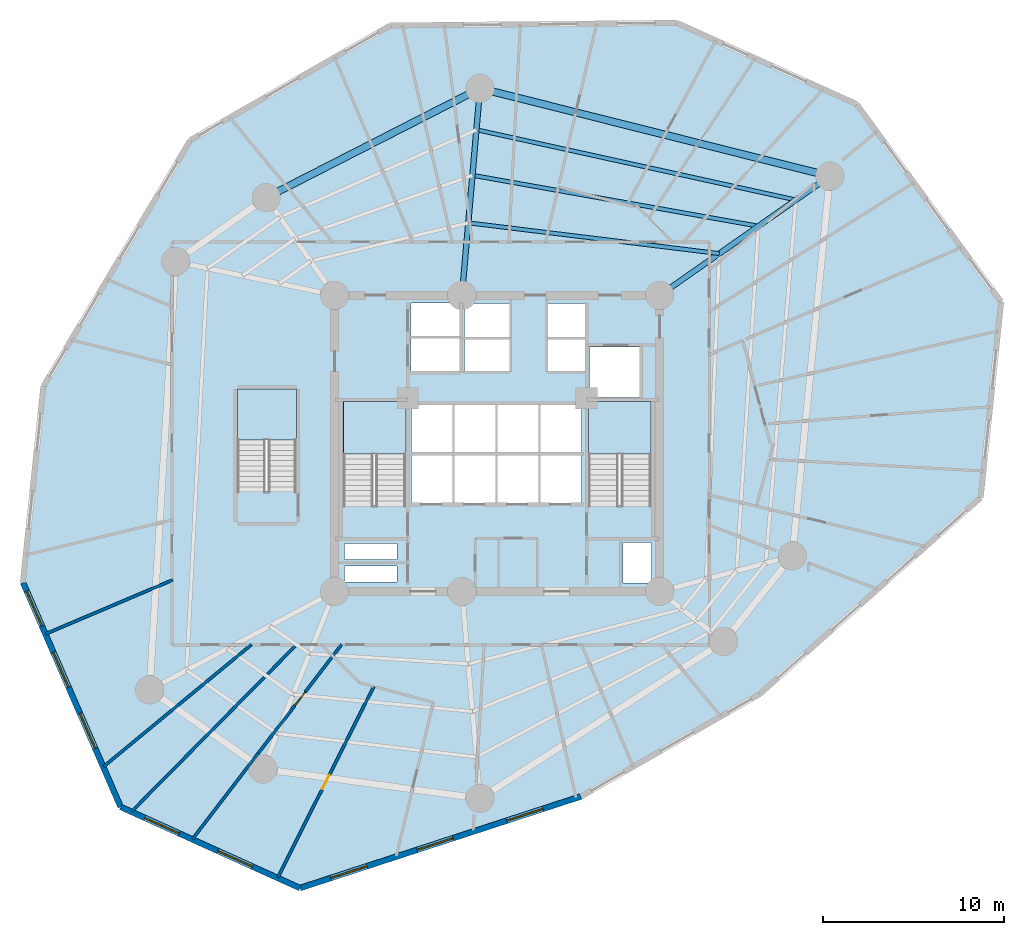
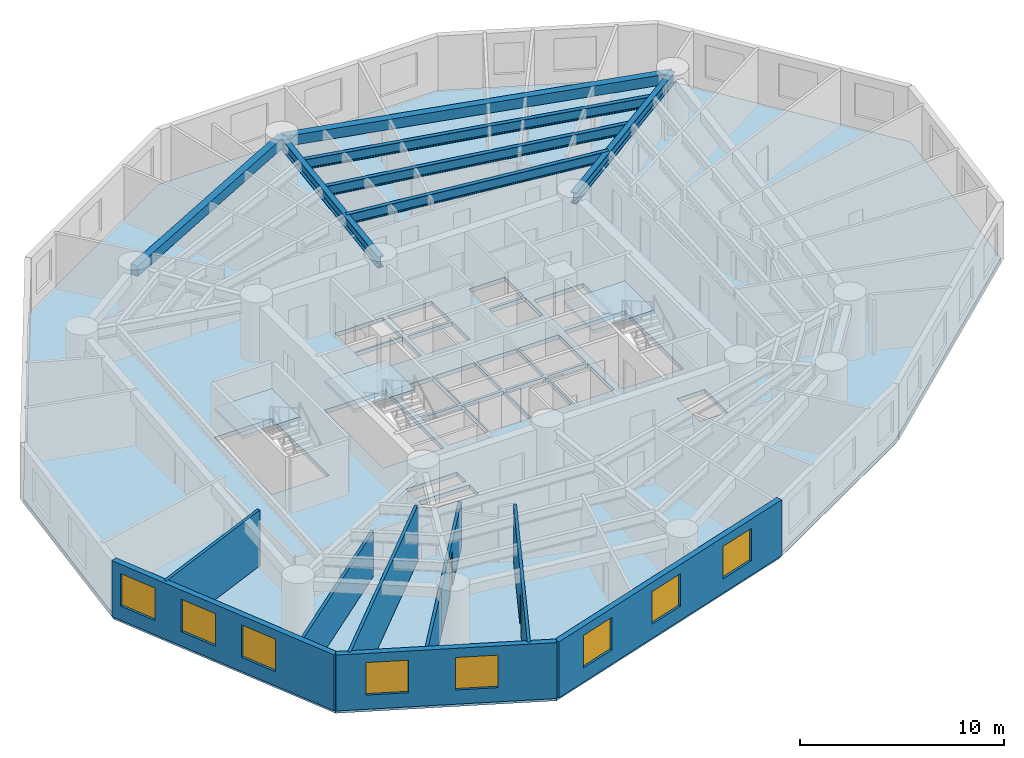
# One storey, part 2 of 8: 9 walls, 8 windows, 7 beams, 4 slabs, 2 doors, 10 openings, 3 elements without a shape of their own.
"""IFC4 building model written with IfcOpenShell, lengths in metres."""

from ifc_helpers import new_model, si_unit, direction, frame, frame_2d, origin, origin_with_axes, origin_2d, place, context, subcontext, project, spatial, polyline, rectangle, i_section, outline, extrude, source, transform, mapped, material, layer, layer_set, material_profile, profile_set, type_object, element, fill, aggregate, save


model = new_model("IFC4")

# Units and contexts
model_context = context("Model", 3, precision=1e-05, world=origin(), true_north=direction((0.0, 1.0)))
body_context = subcontext(model_context, "Body", "Model", "MODEL_VIEW")
ifc_project = project(units=[si_unit("LENGTHUNIT", "METRE"), si_unit("AREAUNIT", "SQUARE_METRE"), si_unit("VOLUMEUNIT", "CUBIC_METRE"), si_unit("PLANEANGLEUNIT", "RADIAN"), si_unit("MASSUNIT", "GRAM", prefix="KILO")], contexts=[model_context])

# Site, building, storey
site_placement = place(None, origin())
site = spatial("IfcSite", under=ifc_project, at=site_placement, CompositionType="ELEMENT")
building_placement = place(site_placement, origin())
building = spatial("IfcBuilding", under=site, at=building_placement, Name="Karkom Vertical University and Central Library", CompositionType="ELEMENT")
storey_placement = place(building_placement, frame((0.0, 0.0, 30.10009765625)))
storey = spatial("IfcBuildingStorey", under=building, at=storey_placement, Name="L07", CompositionType="ELEMENT", Elevation=30.10009765625)

# Beams
ifc_material_1 = material(Name="Steel S355", Category="steel")
ifc_material_profile_1 = material_profile(ifc_material_1, i_section(OverallWidth=0.300048828125, OverallDepth=0.64990234375, WebThickness=0.01611328125, FlangeThickness=0.031005859375, FilletRadius=0.027099609375, at=origin_2d()), Name="HE 650 B")
ifc_profile_set_1 = profile_set([ifc_material_profile_1], Name="Steel S355")
beam_type_1 = type_object("IfcBeamType", Name="STR-BM-SB-HE650", PredefinedType="USERDEFINED", material=ifc_profile_set_1)
shared_shape_1 = source(origin_with_axes(), body_context, "Body", "SweptSolid", [
    extrude(i_section(OverallWidth=0.300048828125, OverallDepth=0.64990234375, WebThickness=0.01611328125, FlangeThickness=0.031005859375, FilletRadius=0.027099609375, at=origin_2d()), origin(), (0.0, 0.0, 1.0), 11.49951171875),
])
beam_1_placement = place(storey_placement, frame((37.5, 34.699951171875, 3.02490234375), z_axis=(0.81915012564, 0.573579176457, 0.0), x_axis=(-0.573579176457, 0.81915012564, 0.0)))
element("IfcBeam", 1, at=beam_1_placement, inside=storey, type_object=beam_type_1, Name="Level 07 Radial Frame Girder 02", ObjectType="GIRDER", PredefinedType="USERDEFINED", context=body_context, shape_type="MappedRepresentation", body=[
    mapped(shared_shape_1, transform((0.0, 0.0, 0.0), scale=1.0)),
])
shared_shape_2 = source(origin_with_axes(), body_context, "Body", "SweptSolid", [
    extrude(i_section(OverallWidth=0.300048828125, OverallDepth=0.64990234375, WebThickness=0.01611328125, FlangeThickness=0.031005859375, FilletRadius=0.027099609375, at=origin_2d()), origin(), (0.0, 0.0, 1.0), 11.499755859375),
])
beam_2_placement = place(storey_placement, frame((26.550048828125, 34.699951171875, 3.02490234375), z_axis=(0.087127973109, 0.99619712723, 0.0), x_axis=(-0.99619712723, 0.087127973109, 0.0)))
element("IfcBeam", 2, at=beam_2_placement, inside=storey, type_object=beam_type_1, Name="Level 07 Radial Frame Girder 03", ObjectType="GIRDER", PredefinedType="USERDEFINED", context=body_context, shape_type="MappedRepresentation", body=[
    mapped(shared_shape_2, transform((0.0, 0.0, 0.0), scale=1.0)),
])
ifc_material_2 = material(Name="Precast concrete C45/55", Category="concrete")
ifc_material_profile_2 = material_profile(ifc_material_2, rectangle(XDim=0.39990234375, YDim=0.60009765625, at=origin_2d()), Name="SPB-400x600")
ifc_profile_set_2 = profile_set([ifc_material_profile_2], Name="Precast concrete C45/55")
beam_type_2 = type_object("IfcBeamType", Name="STR-BM-SP-1", PredefinedType="SPANDREL", material=ifc_profile_set_2)
shared_shape_3 = source(origin_with_axes(), body_context, "Body", "SweptSolid", [
    extrude(rectangle(XDim=0.39990234375, YDim=0.60009765625, at=origin_2d()), origin(), (0.0, 0.0, 1.0), 19.968505859375),
])
beam_3_placement = place(storey_placement, frame((46.919921875, 41.2958984375, 3.0498046875), z_axis=(-0.969928522391, 0.243389937039, 0.0), x_axis=(-0.243389937039, -0.969928522391, 0.0)))
element("IfcBeam", 3, at=beam_3_placement, inside=storey, type_object=beam_type_2, Name="Level 07 Perimeter Spandrel Beam 02", PredefinedType="SPANDREL", context=body_context, shape_type="MappedRepresentation", body=[
    mapped(shared_shape_3, transform((0.0, 0.0, 0.0), scale=1.0)),
])
shared_shape_4 = source(origin_with_axes(), body_context, "Body", "SweptSolid", [
    extrude(rectangle(XDim=0.39990234375, YDim=0.60009765625, at=origin_2d()), origin(), (0.0, 0.0, 1.0), 13.29443359375),
])
beam_4_placement = place(storey_placement, frame((27.552001953125, 46.156005859375, 3.0498046875), z_axis=(-0.890447746793, -0.455085497716, 0.0), x_axis=(0.455085497716, -0.890447746793, 0.0)))
element("IfcBeam", 4, at=beam_4_placement, inside=storey, type_object=beam_type_2, Name="Level 07 Perimeter Spandrel Beam 03", PredefinedType="SPANDREL", context=body_context, shape_type="MappedRepresentation", body=[
    mapped(shared_shape_4, transform((0.0, 0.0, 0.0), scale=1.0)),
])
ifc_material_profile_3 = material_profile(ifc_material_1, i_section(OverallWidth=0.219970703125, OverallDepth=0.60009765625, WebThickness=0.011962890625, FlangeThickness=0.01904296875, FilletRadius=0.02392578125, at=origin_2d()), Name="IPE 600")
ifc_profile_set_3 = profile_set([ifc_material_profile_3], Name="Steel S355")
beam_type_3 = type_object("IfcBeamType", Name="STR-BM-SB-IPE600", PredefinedType="BEAM", material=ifc_profile_set_3)
shared_shape_5 = source(origin_with_axes(), body_context, "Body", "SweptSolid", [
    extrude(i_section(OverallWidth=0.219970703125, OverallDepth=0.60009765625, WebThickness=0.011962890625, FlangeThickness=0.01904296875, FilletRadius=0.02392578125, at=origin_2d()), origin(), (0.0, 0.0, 1.0), 14.000244140625),
])
beam_5_placement = place(storey_placement, frame((40.797119140625, 37.008544921875, 3.0498046875), z_axis=(-0.992590166403, 0.121510335198, 0.0), x_axis=(-0.121510335198, -0.992590166403, 0.0)))
element("IfcBeam", 5, at=beam_5_placement, inside=storey, type_object=beam_type_3, Name="Level 07 Secondary Composite Floor Beam 1.02", PredefinedType="BEAM", context=body_context, shape_type="MappedRepresentation", body=[
    mapped(shared_shape_5, transform((0.0, 0.0, 0.0), scale=1.0)),
])
shared_shape_6 = source(origin_with_axes(), body_context, "Body", "SweptSolid", [
    extrude(i_section(OverallWidth=0.219970703125, OverallDepth=0.60009765625, WebThickness=0.011962890625, FlangeThickness=0.01904296875, FilletRadius=0.02392578125, at=origin_2d()), origin(), (0.0, 0.0, 1.0), 16.08154296875),
])
beam_6_placement = place(storey_placement, frame((42.963623046875, 38.525634765625, 3.0498046875), z_axis=(-0.984517708807, 0.175285142111, 0.0), x_axis=(-0.175285142111, -0.984517708807, 0.0)))
element("IfcBeam", 6, at=beam_6_placement, inside=storey, type_object=beam_type_3, Name="Level 07 Secondary Composite Floor Beam 2.02", PredefinedType="BEAM", context=body_context, shape_type="MappedRepresentation", body=[
    mapped(shared_shape_6, transform((0.0, 0.0, 0.0), scale=1.0)),
])
shared_shape_7 = source(origin_with_axes(), body_context, "Body", "SweptSolid", [
    extrude(i_section(OverallWidth=0.219970703125, OverallDepth=0.60009765625, WebThickness=0.011962890625, FlangeThickness=0.01904296875, FilletRadius=0.02392578125, at=origin_2d()), origin(), (0.0, 0.0, 1.0), 18.106689453125),
])
beam_7_placement = place(storey_placement, frame((45.035888671875, 39.976806640625, 3.0498046875), z_axis=(-0.976674731786, 0.214724167926, 0.0), x_axis=(-0.214724167926, -0.976674731786, 0.0)))
element("IfcBeam", 7, at=beam_7_placement, inside=storey, type_object=beam_type_3, Name="Level 07 Secondary Composite Floor Beam 3.02", PredefinedType="BEAM", context=body_context, shape_type="MappedRepresentation", body=[
    mapped(shared_shape_7, transform((0.0, 0.0, 0.0), scale=1.0)),
])

# Stair, slab
ifc_material_3 = material(Name="Concrete C45/55", Category="concrete")
stair_type_1 = type_object("IfcStairType", Name="INT-STR-ST-MAIN", PredefinedType="HALF_TURN_STAIR", material=ifc_material_3)
stair_1_placement = place(storey_placement, origin())
stair_1 = element("IfcStair", 8, at=stair_1_placement, inside=storey, type_object=stair_type_1, Name="Level 07 Tower Protected Exit Stair ST-1", PredefinedType="HALF_TURN_STAIR")
ifc_layer_1 = layer(ifc_material_3, 0.199951171875)
ifc_layer_set_1 = layer_set([ifc_layer_1], Name="Concrete C45/55")
slab_type_1 = type_object("IfcSlabType", Name="INT-SLB-LANDING", PredefinedType="LANDING", material=ifc_layer_set_1)
slab_1_placement = place(storey_placement, frame((0.0, 0.0, 1.599853515625)))
slab_1 = element("IfcSlab", 9, at=slab_1_placement, type_object=slab_type_1, Name="ST-1 landing 1", PredefinedType="LANDING", context=body_context, shape_type="SweptSolid", body=[
    extrude(outline(polyline([(23.43994140625, 25.919921875), (23.43994140625, 28.820068359375), (19.97998046875, 28.820068359375), (19.97998046875, 25.919921875), (23.43994140625, 25.919921875)])), origin(), (0.0, 0.0, 1.0), 0.199951171875),
])
aggregate(stair_1, [slab_1])

stair_2_placement = place(storey_placement, origin())
stair_2 = element("IfcStair", 10, at=stair_2_placement, inside=storey, type_object=stair_type_1, Name="Level 07 Tower Protected Exit Stair ST-2", PredefinedType="HALF_TURN_STAIR")
slab_2_placement = place(storey_placement, frame((0.0, 0.0, 1.599853515625)))
slab_2 = element("IfcSlab", 11, at=slab_2_placement, type_object=slab_type_1, Name="ST-2 landing 1", PredefinedType="LANDING", context=body_context, shape_type="SweptSolid", body=[
    extrude(outline(polyline([(37.02001953125, 25.919921875), (37.02001953125, 28.820068359375), (33.56005859375, 28.820068359375), (33.56005859375, 25.919921875), (37.02001953125, 25.919921875)])), origin(), (0.0, 0.0, 1.0), 0.199951171875),
])
aggregate(stair_2, [slab_2])

stair_type_2 = type_object("IfcStairType", Name="INT-STR-ST-SEC", PredefinedType="HALF_TURN_STAIR", material=ifc_material_3)
stair_3_placement = place(storey_placement, origin())
stair_3 = element("IfcStair", 12, at=stair_3_placement, inside=storey, type_object=stair_type_2, Name="Level 07 Academic Zone Protected Exit Stair ST-3", PredefinedType="HALF_TURN_STAIR")
slab_3_placement = place(storey_placement, frame((0.0, 0.0, 1.599853515625)))
slab_3 = element("IfcSlab", 13, at=slab_3_placement, type_object=slab_type_1, Name="ST-3 landing 1", PredefinedType="LANDING", context=body_context, shape_type="SweptSolid", body=[
    extrude(outline(polyline([(17.3798828125, 26.699951171875), (17.3798828125, 29.5), (14.1201171875, 29.5), (14.1201171875, 26.699951171875), (17.3798828125, 26.699951171875)])), origin(), (0.0, 0.0, 1.0), 0.199951171875),
])
aggregate(stair_3, [slab_3])

# Slab
ifc_layer_2 = layer(ifc_material_3, 0.25)
ifc_layer_set_2 = layer_set([ifc_layer_2], Name="Concrete C45/55")
slab_type_2 = type_object("IfcSlabType", Name="STR-SLB-FLR-250", PredefinedType="FLOOR", material=ifc_layer_set_2)
slab_4_placement = place(storey_placement, frame((0.0, 0.0, -0.25)))
element("IfcSlab", 14, at=slab_4_placement, inside=storey, type_object=slab_type_2, Name="Level 07 Tower Structural Floor Slab", PredefinedType="FLOOR", context=body_context, shape_type="SweptSolid", body=[
    extrude(outline(polyline([(22.580810546875, 49.63427734375), (11.518310546875, 43.288330078125), (3.3798828125, 29.66162109375), (2.242919921875, 18.800537109375), (7.653564453125, 6.37060546875), (17.581787109375, 1.878662109375), (33.149169921875, 6.953125), (43.026123046875, 12.618896484375), (55.265380859375, 23.495361328125), (56.39990234375, 34.3330078125), (48.401611328125, 45.27880859375), (38.4521484375, 49.7802734375), (22.580810546875, 49.63427734375)]), holes=[polyline([(19.97998046875, 23.0849609375), (23.43994140625, 23.0849609375), (23.43994140625, 28.820068359375), (19.97998046875, 28.820068359375), (19.97998046875, 23.0849609375)]), polyline([(33.56005859375, 23.0849609375), (37.02001953125, 23.0849609375), (37.02001953125, 28.820068359375), (33.56005859375, 28.820068359375), (33.56005859375, 23.0849609375)]), polyline([(14.1201171875, 23.864990234375), (17.3798828125, 23.864990234375), (17.3798828125, 29.5), (14.1201171875, 29.5), (14.1201171875, 23.864990234375)]), polyline([(23.75, 23.199951171875), (26.030029296875, 23.199951171875), (26.030029296875, 25.85009765625), (23.75, 25.85009765625), (23.75, 23.199951171875)]), polyline([(26.1298828125, 23.199951171875), (28.409912109375, 23.199951171875), (28.409912109375, 25.85009765625), (26.1298828125, 25.85009765625), (26.1298828125, 23.199951171875)]), polyline([(28.510009765625, 23.199951171875), (30.7900390625, 23.199951171875), (30.7900390625, 25.85009765625), (28.510009765625, 25.85009765625), (28.510009765625, 23.199951171875)]), polyline([(30.889892578125, 23.199951171875), (33.169921875, 23.199951171875), (33.169921875, 25.85009765625), (30.889892578125, 25.85009765625), (30.889892578125, 23.199951171875)]), polyline([(23.75, 26.0), (26.030029296875, 26.0), (26.030029296875, 28.64990234375), (23.75, 28.64990234375), (23.75, 26.0)]), polyline([(26.1298828125, 26.0), (28.409912109375, 26.0), (28.409912109375, 28.64990234375), (26.1298828125, 28.64990234375), (26.1298828125, 26.0)]), polyline([(28.510009765625, 26.0), (30.7900390625, 26.0), (30.7900390625, 28.64990234375), (28.510009765625, 28.64990234375), (28.510009765625, 26.0)]), polyline([(30.889892578125, 26.0), (33.169921875, 26.0), (33.169921875, 28.64990234375), (30.889892578125, 28.64990234375), (30.889892578125, 26.0)]), polyline([(26.679931640625, 30.5), (29.199951171875, 30.5), (29.199951171875, 32.25), (26.679931640625, 32.25), (26.679931640625, 30.5)]), polyline([(26.679931640625, 32.39990234375), (29.199951171875, 32.39990234375), (29.199951171875, 34.25), (26.679931640625, 34.25), (26.679931640625, 32.39990234375)]), polyline([(31.300048828125, 30.5), (33.35009765625, 30.5), (33.35009765625, 32.25), (31.300048828125, 32.25), (31.300048828125, 30.5)]), polyline([(31.300048828125, 32.39990234375), (33.35009765625, 32.39990234375), (33.35009765625, 34.25), (31.300048828125, 34.25), (31.300048828125, 32.39990234375)]), polyline([(23.719970703125, 30.47998046875), (26.429931640625, 30.47998046875), (26.429931640625, 32.320068359375), (23.719970703125, 32.320068359375), (23.719970703125, 30.47998046875)]), polyline([(23.719970703125, 32.419921875), (26.429931640625, 32.419921875), (26.429931640625, 34.260009765625), (23.719970703125, 34.260009765625), (23.719970703125, 32.419921875)]), polyline([(33.60009765625, 29.050048828125), (36.39990234375, 29.050048828125), (36.39990234375, 31.85009765625), (33.60009765625, 31.85009765625), (33.60009765625, 29.050048828125)]), polyline([(20.050048828125, 18.820068359375), (22.949951171875, 18.820068359375), (22.949951171875, 19.719970703125), (20.050048828125, 19.719970703125), (20.050048828125, 18.820068359375)]), polyline([(20.050048828125, 20.06005859375), (22.949951171875, 20.06005859375), (22.949951171875, 20.9599609375), (20.050048828125, 20.9599609375), (20.050048828125, 20.06005859375)]), polyline([(35.4599609375, 18.760009765625), (37.0400390625, 18.760009765625), (37.0400390625, 21.010009765625), (35.4599609375, 21.010009765625), (35.4599609375, 18.760009765625)])]), origin(), (0.0, 0.0, 1.0), 0.25),
])

# Wall, openings, windows
ifc_material_4 = material(Name="Brick-faced precast concrete C45/55", Category="masonry")
ifc_layer_3 = layer(ifc_material_4, 0.320068359375)
ifc_layer_set_3 = layer_set([ifc_layer_3], Name="Brick-faced precast concrete C45/55")
wall_type_1 = type_object("IfcWallType", Name="ENV-WL-BRK-320", PredefinedType="SOLIDWALL", material=ifc_layer_set_3)
wall_1_placement = place(storey_placement, frame((2.242919921875, 18.800537109375, 0.0), z_axis=(0.0, 0.0, 1.0), x_axis=(0.399118553893, -0.916899329228, 0.0)))
wall_1 = element("IfcWall", 15, at=wall_1_placement, inside=storey, type_object=wall_type_1, Name="Level 07 Brick-Faced Precast Facade Wall 04", PredefinedType="SOLIDWALL", context=body_context, shape_type="SweptSolid", body=[
    extrude(rectangle(XDim=13.556396484375, YDim=0.320068359375, at=frame_2d((6.7783203125, 0.0))), origin(), (0.0, 0.0, 1.0), 3.349853515625),
])
opening_1_placement = place(wall_1_placement, frame((0.537109375, 0.0, 0.85009765625)))
opening_1 = element("IfcOpeningElement", 16, at=opening_1_placement, cuts=wall_1, Name="Opening WN-03", PredefinedType="OPENING", context=body_context, shape_type="SweptSolid", body=[
    extrude(rectangle(XDim=2.10009765625, YDim=1.949951171875, at=frame_2d((1.050048828125, 0.97509765625))), frame((0.0, 0.169921875, 0.0), z_axis=(0.0, -1.0, 0.0), x_axis=(1.0, 0.0, 0.0)), (0.0, 0.0, 1.0), 0.340087890625),
])
opening_2_placement = place(wall_1_placement, frame((4.2255859375, 0.0, 0.85009765625)))
opening_2 = element("IfcOpeningElement", 17, at=opening_2_placement, cuts=wall_1, Name="Opening WN-03", PredefinedType="OPENING", context=body_context, shape_type="SweptSolid", body=[
    extrude(rectangle(XDim=2.10009765625, YDim=1.949951171875, at=frame_2d((1.050048828125, 0.97509765625))), frame((0.0, 0.169921875, 0.0), z_axis=(0.0, -1.0, 0.0), x_axis=(1.0, 0.0, 0.0)), (0.0, 0.0, 1.0), 0.340087890625),
])
opening_3_placement = place(wall_1_placement, frame((7.908935546875, 0.0, 0.85009765625)))
opening_3 = element("IfcOpeningElement", 18, at=opening_3_placement, cuts=wall_1, Name="Opening WN-03", PredefinedType="OPENING", context=body_context, shape_type="SweptSolid", body=[
    extrude(rectangle(XDim=2.10009765625, YDim=1.949951171875, at=frame_2d((1.050048828125, 0.97509765625))), frame((0.0, 0.169921875, 0.0), z_axis=(0.0, -1.0, 0.0), x_axis=(1.0, 0.0, 0.0)), (0.0, 0.0, 1.0), 0.340087890625),
])
ifc_material_5 = material(Name="Aluminium thermal-break frame with solar-control IGU", Category="aluminium")
window_type = type_object("IfcWindowType", Name="ENV-WIN-WN-03", PartitioningType="SINGLE_PANEL", PredefinedType="WINDOW", material=ifc_material_5)
shared_shape_8 = source(origin_with_axes(), body_context, "Body", "SweptSolid", [
    extrude(rectangle(XDim=2.10009765625, YDim=1.949951171875, at=frame_2d((1.050048828125, 0.97509765625))), frame((0.0, 0.030029296875, 0.0), z_axis=(0.0, -1.0, 0.0), x_axis=(1.0, 0.0, 0.0)), (0.0, 0.0, 1.0), 0.06005859375),
])
window_1_placement = place(opening_1_placement, origin())
window_1 = element("IfcWindow", 19, at=window_1_placement, inside=storey, type_object=window_type, Name="Level 07 Punched Window 4.1", OverallHeight=1.949951171875, OverallWidth=2.10009765625, PartitioningType="SINGLE_PANEL", PredefinedType="WINDOW", context=body_context, shape_type="MappedRepresentation", body=[
    mapped(shared_shape_8, transform((0.0, 0.0, 0.0), scale=1.0)),
])
fill(opening_1, window_1)
window_2_placement = place(opening_2_placement, origin())
window_2 = element("IfcWindow", 20, at=window_2_placement, inside=storey, type_object=window_type, Name="Level 07 Punched Window 4.2", OverallHeight=1.949951171875, OverallWidth=2.10009765625, PartitioningType="SINGLE_PANEL", PredefinedType="WINDOW", context=body_context, shape_type="MappedRepresentation", body=[
    mapped(shared_shape_8, transform((0.0, 0.0, 0.0), scale=1.0)),
])
fill(opening_2, window_2)
window_3_placement = place(opening_3_placement, origin())
window_3 = element("IfcWindow", 21, at=window_3_placement, inside=storey, type_object=window_type, Name="Level 07 Punched Window 4.3", OverallHeight=1.949951171875, OverallWidth=2.10009765625, PartitioningType="SINGLE_PANEL", PredefinedType="WINDOW", context=body_context, shape_type="MappedRepresentation", body=[
    mapped(shared_shape_8, transform((0.0, 0.0, 0.0), scale=1.0)),
])
fill(opening_3, window_3)

wall_2_placement = place(storey_placement, frame((7.653564453125, 6.37060546875, 0.0), z_axis=(0.0, 0.0, 1.0), x_axis=(0.911087088452, -0.412213921714, 0.0)))
wall_2 = element("IfcWall", 22, at=wall_2_placement, inside=storey, type_object=wall_type_1, Name="Level 07 Brick-Faced Precast Facade Wall 05", PredefinedType="SOLIDWALL", context=body_context, shape_type="SweptSolid", body=[
    extrude(rectangle(XDim=10.897216796875, YDim=0.320068359375, at=frame_2d((5.44873046875, 0.0))), origin(), (0.0, 0.0, 1.0), 3.349853515625),
])
opening_4_placement = place(wall_2_placement, frame((1.468994140625, 0.0, 0.85009765625)))
opening_4 = element("IfcOpeningElement", 23, at=opening_4_placement, cuts=wall_2, Name="Opening WN-03", PredefinedType="OPENING", context=body_context, shape_type="SweptSolid", body=[
    extrude(rectangle(XDim=2.10009765625, YDim=1.949951171875, at=frame_2d((1.050048828125, 0.97509765625))), frame((0.0, 0.169921875, 0.0), z_axis=(0.0, -1.0, 0.0), x_axis=(1.0, 0.0, 0.0)), (0.0, 0.0, 1.0), 0.340087890625),
])
opening_5_placement = place(wall_2_placement, frame((5.90185546875, 0.0, 0.85009765625)))
opening_5 = element("IfcOpeningElement", 24, at=opening_5_placement, cuts=wall_2, Name="Opening WN-03", PredefinedType="OPENING", context=body_context, shape_type="SweptSolid", body=[
    extrude(rectangle(XDim=2.10009765625, YDim=1.949951171875, at=frame_2d((1.050048828125, 0.97509765625))), frame((0.0, 0.169921875, 0.0), z_axis=(0.0, -1.0, 0.0), x_axis=(1.0, 0.0, 0.0)), (0.0, 0.0, 1.0), 0.340087890625),
])
window_4_placement = place(opening_4_placement, origin())
window_4 = element("IfcWindow", 25, at=window_4_placement, inside=storey, type_object=window_type, Name="Level 07 Punched Window 5.1", OverallHeight=1.949951171875, OverallWidth=2.10009765625, PartitioningType="SINGLE_PANEL", PredefinedType="WINDOW", context=body_context, shape_type="MappedRepresentation", body=[
    mapped(shared_shape_8, transform((0.0, 0.0, 0.0), scale=1.0)),
])
fill(opening_4, window_4)
window_5_placement = place(opening_5_placement, origin())
window_5 = element("IfcWindow", 26, at=window_5_placement, inside=storey, type_object=window_type, Name="Level 07 Punched Window 5.2", OverallHeight=1.949951171875, OverallWidth=2.10009765625, PartitioningType="SINGLE_PANEL", PredefinedType="WINDOW", context=body_context, shape_type="MappedRepresentation", body=[
    mapped(shared_shape_8, transform((0.0, 0.0, 0.0), scale=1.0)),
])
fill(opening_5, window_5)

wall_3_placement = place(storey_placement, frame((17.581787109375, 1.878662109375, 0.0), z_axis=(0.0, 0.0, 1.0), x_axis=(0.950763273063, 0.309918051418, 0.0)))
wall_3 = element("IfcWall", 27, at=wall_3_placement, inside=storey, type_object=wall_type_1, Name="Level 07 Brick-Faced Precast Facade Wall 06", PredefinedType="SOLIDWALL", context=body_context, shape_type="SweptSolid", body=[
    extrude(rectangle(XDim=16.37353515625, YDim=0.320068359375, at=frame_2d((8.186767578125, 0.0))), origin(), (0.0, 0.0, 1.0), 3.349853515625),
])
opening_6_placement = place(wall_3_placement, frame((1.7998046875, 0.0, 0.85009765625)))
opening_6 = element("IfcOpeningElement", 28, at=opening_6_placement, cuts=wall_3, Name="Opening WN-03", PredefinedType="OPENING", context=body_context, shape_type="SweptSolid", body=[
    extrude(rectangle(XDim=2.10009765625, YDim=1.949951171875, at=frame_2d((1.050048828125, 0.97509765625))), frame((0.0, 0.169921875, 0.0), z_axis=(0.0, -1.0, 0.0), x_axis=(1.0, 0.0, 0.0)), (0.0, 0.0, 1.0), 0.340087890625),
])
opening_7_placement = place(wall_3_placement, frame((6.82421875, 0.0, 0.85009765625)))
opening_7 = element("IfcOpeningElement", 29, at=opening_7_placement, cuts=wall_3, Name="Opening WN-03", PredefinedType="OPENING", context=body_context, shape_type="SweptSolid", body=[
    extrude(rectangle(XDim=2.10009765625, YDim=1.949951171875, at=frame_2d((1.050048828125, 0.97509765625))), frame((0.0, 0.169921875, 0.0), z_axis=(0.0, -1.0, 0.0), x_axis=(1.0, 0.0, 0.0)), (0.0, 0.0, 1.0), 0.340087890625),
])
opening_8_placement = place(wall_3_placement, frame((12.047119140625, 0.0, 0.85009765625)))
opening_8 = element("IfcOpeningElement", 30, at=opening_8_placement, cuts=wall_3, Name="Opening WN-03", PredefinedType="OPENING", context=body_context, shape_type="SweptSolid", body=[
    extrude(rectangle(XDim=2.10009765625, YDim=1.949951171875, at=frame_2d((1.050048828125, 0.97509765625))), frame((0.0, 0.169921875, 0.0), z_axis=(0.0, -1.0, 0.0), x_axis=(1.0, 0.0, 0.0)), (0.0, 0.0, 1.0), 0.340087890625),
])
window_6_placement = place(opening_6_placement, origin())
window_6 = element("IfcWindow", 31, at=window_6_placement, inside=storey, type_object=window_type, Name="Level 07 Punched Window 6.1", OverallHeight=1.949951171875, OverallWidth=2.10009765625, PartitioningType="SINGLE_PANEL", PredefinedType="WINDOW", context=body_context, shape_type="MappedRepresentation", body=[
    mapped(shared_shape_8, transform((0.0, 0.0, 0.0), scale=1.0)),
])
fill(opening_6, window_6)
window_7_placement = place(opening_7_placement, origin())
window_7 = element("IfcWindow", 32, at=window_7_placement, inside=storey, type_object=window_type, Name="Level 07 Punched Window 6.2", OverallHeight=1.949951171875, OverallWidth=2.10009765625, PartitioningType="SINGLE_PANEL", PredefinedType="WINDOW", context=body_context, shape_type="MappedRepresentation", body=[
    mapped(shared_shape_8, transform((0.0, 0.0, 0.0), scale=1.0)),
])
fill(opening_7, window_7)
window_8_placement = place(opening_8_placement, origin())
window_8 = element("IfcWindow", 33, at=window_8_placement, inside=storey, type_object=window_type, Name="Level 07 Punched Window 6.3", OverallHeight=1.949951171875, OverallWidth=2.10009765625, PartitioningType="SINGLE_PANEL", PredefinedType="WINDOW", context=body_context, shape_type="MappedRepresentation", body=[
    mapped(shared_shape_8, transform((0.0, 0.0, 0.0), scale=1.0)),
])
fill(opening_8, window_8)

# Wall
ifc_material_6 = material(Name="Insulated metal-stud drywall 160mm", Category="gypsum")
ifc_layer_4 = layer(ifc_material_6, 0.159912109375)
ifc_layer_set_4 = layer_set([ifc_layer_4], Name="Insulated metal-stud drywall 160mm")
wall_type_2 = type_object("IfcWallType", Name="INT-WL-COR-160", PredefinedType="PARTITIONING", material=ifc_layer_set_4)
wall_4_placement = place(storey_placement, frame((17.42138671875, 15.382080078125, 0.0), z_axis=(0.0, 0.0, 1.0), x_axis=(-0.703138960122, -0.711052461327, 0.0)))
element("IfcWall", 34, at=wall_4_placement, inside=storey, type_object=wall_type_2, Name="Level 07 Interior Partition Wall Level 07-PW-005", PredefinedType="PARTITIONING", context=body_context, shape_type="SweptSolid", body=[
    extrude(rectangle(XDim=13.019287109375, YDim=0.159912109375, at=frame_2d((6.509765625, 0.0))), origin(), (0.0, 0.0, 1.0), 3.349853515625),
])

# Wall, opening, door
wall_5_placement = place(storey_placement, frame((21.671875, 13.046630859375, 0.0), z_axis=(0.0, 0.0, 1.0), x_axis=(-0.449026341027, -0.893518519709, 0.0)))
wall_5 = element("IfcWall", 35, at=wall_5_placement, inside=storey, type_object=wall_type_2, Name="Level 07 Interior Partition Wall Level 07-PW-009", PredefinedType="PARTITIONING", context=body_context, shape_type="SweptSolid", body=[
    extrude(rectangle(XDim=11.845947265625, YDim=0.159912109375, at=frame_2d((5.9228515625, 0.0))), origin(), (0.0, 0.0, 1.0), 3.349853515625),
])
opening_9_placement = place(wall_5_placement, frame((5.492919921875, 0.0, 0.0)))
opening_9 = element("IfcOpeningElement", 36, at=opening_9_placement, cuts=wall_5, Name="Opening FD-BTH2", PredefinedType="OPENING", context=body_context, shape_type="SweptSolid", body=[
    extrude(rectangle(XDim=0.860107421875, YDim=2.0400390625, at=frame_2d((0.43017578125, 1.02001953125))), frame((0.0, 0.08984375, 0.0), z_axis=(0.0, -1.0, 0.0), x_axis=(1.0, 0.0, 0.0)), (0.0, 0.0, 1.0), 0.179931640625),
])
ifc_material_7 = material(Name="Fire-rated moisture-resistant oak door", Category="wood")
door_type_1 = type_object("IfcDoorType", Name="INT-DR-FBTH2", OperationType="NOTDEFINED", PredefinedType="DOOR", material=ifc_material_7)
shared_shape_9 = source(origin_with_axes(), body_context, "Body", "SweptSolid", [
    extrude(rectangle(XDim=0.860107421875, YDim=2.0400390625, at=frame_2d((0.43017578125, 1.02001953125))), frame((0.0, 0.02490234375, 0.0), z_axis=(0.0, -1.0, 0.0), x_axis=(1.0, 0.0, 0.0)), (0.0, 0.0, 1.0), 0.050048828125),
])
door_1_placement = place(opening_9_placement, origin())
door_1 = element("IfcDoor", 37, at=door_1_placement, inside=storey, type_object=door_type_1, Name="Level 07 University Seminar Classroom Entry Door", OperationType="SINGLE_SWING_RIGHT", OverallHeight=2.0400390625, OverallWidth=0.860107421875, PredefinedType="DOOR", context=body_context, shape_type="MappedRepresentation", body=[
    mapped(shared_shape_9, transform((0.0, 0.0, 0.0), scale=1.0)),
])
fill(opening_9, door_1)

# Walls
wall_6_placement = place(storey_placement, frame((14.91015625, 15.369140625, 0.0), z_axis=(0.0, 0.0, 1.0), x_axis=(-0.771457274472, -0.636281127855, 0.0)))
element("IfcWall", 38, at=wall_6_placement, inside=storey, type_object=wall_type_2, Name="Level 07 Interior Partition Wall Level 07-PW-004", PredefinedType="PARTITIONING", context=body_context, shape_type="SweptSolid", body=[
    extrude(rectangle(XDim=10.62890625, YDim=0.159912109375, at=frame_2d((5.314453125, 0.0))), origin(), (0.0, 0.0, 1.0), 2.699951171875),
])
wall_7_placement = place(storey_placement, frame((10.54150390625, 18.941162109375, 0.0), z_axis=(0.0, 0.0, 1.0), x_axis=(-0.920491590581, -0.390762372382, 0.0)))
element("IfcWall", 39, at=wall_7_placement, inside=storey, type_object=wall_type_2, Name="Level 07 Interior Partition Wall Level 07-PW-003", PredefinedType="PARTITIONING", context=body_context, shape_type="SweptSolid", body=[
    extrude(rectangle(XDim=7.640380859375, YDim=0.159912109375, at=frame_2d((3.8203125, 0.0))), origin(), (0.0, 0.0, 1.0), 3.349853515625),
])

# Wall, opening, door
wall_8_placement = place(storey_placement, frame((19.89501953125, 15.373779296875, 0.0), z_axis=(0.0, 0.0, 1.0), x_axis=(-0.608414656222, -0.79361930804, 0.0)))
wall_8 = element("IfcWall", 40, at=wall_8_placement, inside=storey, type_object=wall_type_2, Name="Level 07 Interior Partition Wall Level 07-PW-006", PredefinedType="PARTITIONING", context=body_context, shape_type="SweptSolid", body=[
    extrude(rectangle(XDim=7.587646484375, YDim=0.159912109375, at=frame_2d((3.7939453125, 0.0))), origin(), (0.0, 0.0, 1.0), 2.699951171875),
])
opening_10_placement = place(wall_8_placement, frame((3.31884765625, 0.0, 0.0)))
opening_10 = element("IfcOpeningElement", 41, at=opening_10_placement, cuts=wall_8, Name="Opening FD-RM2", PredefinedType="OPENING", context=body_context, shape_type="SweptSolid", body=[
    extrude(rectangle(XDim=0.9599609375, YDim=2.14990234375, at=frame_2d((0.47998046875, 1.074951171875))), frame((0.0, 0.08984375, 0.0), z_axis=(0.0, -1.0, 0.0), x_axis=(1.0, 0.0, 0.0)), (0.0, 0.0, 1.0), 0.179931640625),
])
ifc_material_8 = material(Name="Fire-rated oak veneer door", Category="wood")
door_type_2 = type_object("IfcDoorType", Name="INT-DR-FRM2", OperationType="NOTDEFINED", PredefinedType="DOOR", material=ifc_material_8)
shared_shape_10 = source(origin_with_axes(), body_context, "Body", "SweptSolid", [
    extrude(rectangle(XDim=0.9599609375, YDim=2.14990234375, at=frame_2d((0.47998046875, 1.074951171875))), frame((0.0, 0.02490234375, 0.0), z_axis=(0.0, -1.0, 0.0), x_axis=(1.0, 0.0, 0.0)), (0.0, 0.0, 1.0), 0.050048828125),
])
door_2_placement = place(opening_10_placement, origin())
door_2 = element("IfcDoor", 42, at=door_2_placement, inside=storey, type_object=door_type_2, Name="Level 07 Room Entry Door 050", OperationType="SINGLE_SWING_LEFT", OverallHeight=2.14990234375, OverallWidth=0.9599609375, PredefinedType="DOOR", context=body_context, shape_type="MappedRepresentation", body=[
    mapped(shared_shape_10, transform((0.0, 0.0, 0.0), scale=1.0)),
])
fill(opening_10, door_2)

# Wall
wall_9_placement = place(storey_placement, frame((15.275634765625, 9.347900390625, 0.0), z_axis=(0.0, 0.0, 1.0), x_axis=(-0.608415303908, -0.793618811502, 0.0)))
element("IfcWall", 43, at=wall_9_placement, inside=storey, type_object=wall_type_2, Name="Level 07 Interior Partition Wall Level 07-PW-007", PredefinedType="PARTITIONING", context=body_context, shape_type="SweptSolid", body=[
    extrude(rectangle(XDim=5.99658203125, YDim=0.159912109375, at=frame_2d((2.998291015625, 0.0))), origin(), (0.0, 0.0, 1.0), 2.699951171875),
])

save(model, "model.ifc")
